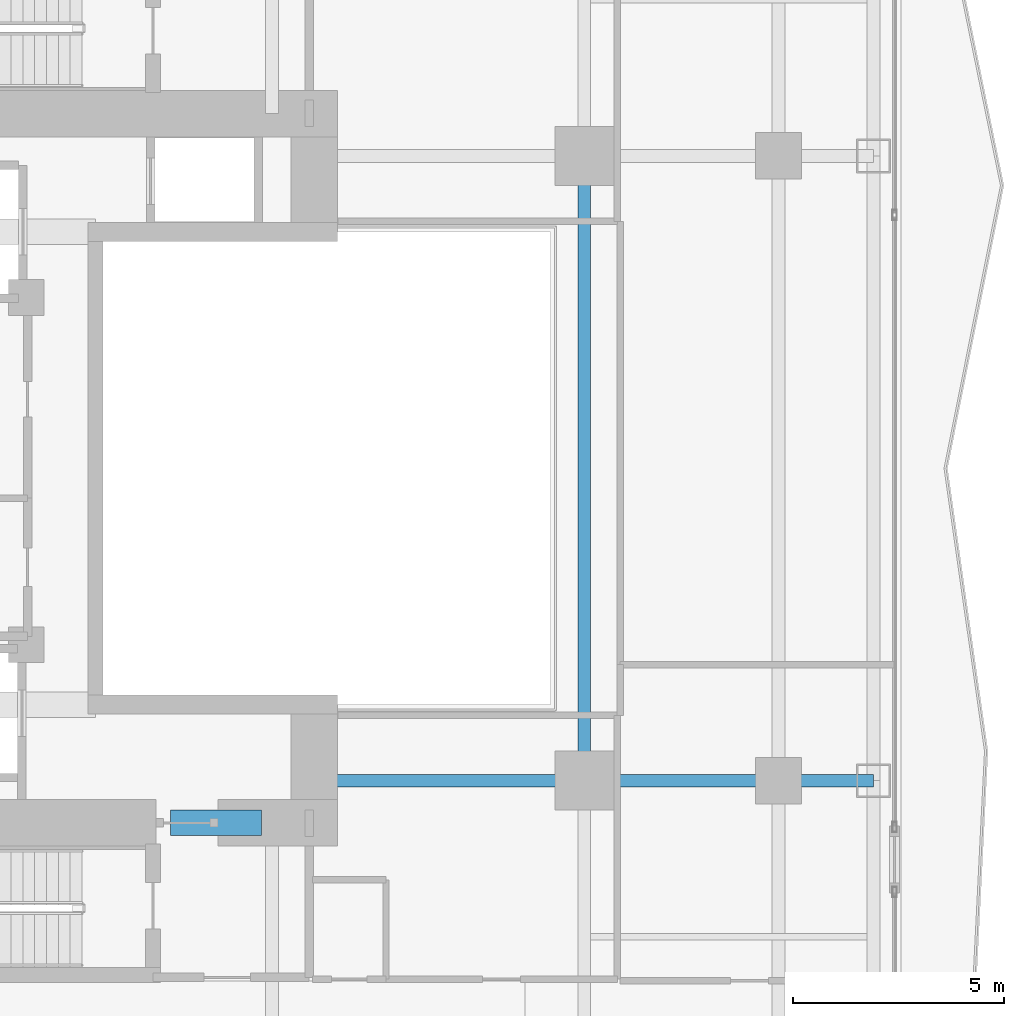
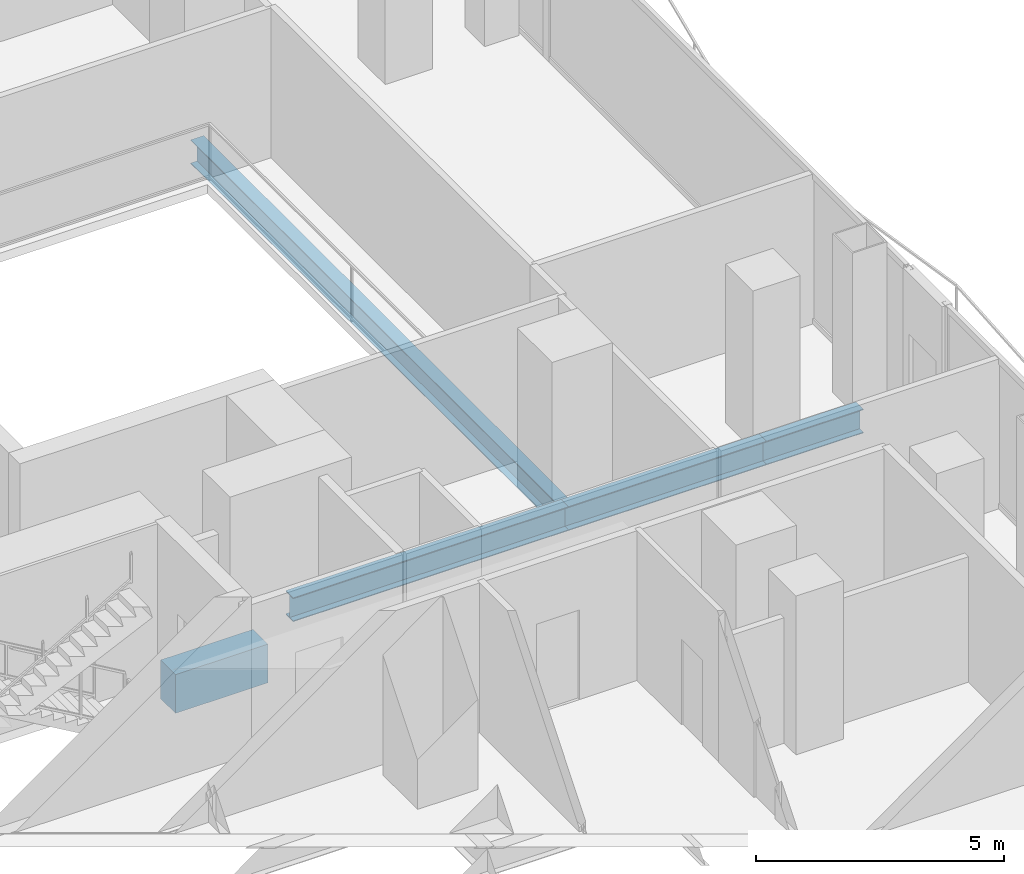
# One storey, part 11 of 29: 5 beams.
"""IFC4 building model written with IfcOpenShell, lengths in metres."""

from ifc_helpers import new_model, si_unit, direction, frame, origin, origin_2d, place, context, subcontext, project, spatial, rectangle, i_section, extrude, material, material_profile, profile_set, type_object, element, save


model = new_model("IFC4")

# Units and contexts
model_context = context("Model", 3, precision=1e-05, world=origin(), true_north=direction((0.0, 1.0)))
body_context = subcontext(model_context, "Body", "Model", "MODEL_VIEW")
ifc_project = project(units=[si_unit("LENGTHUNIT", "METRE"), si_unit("AREAUNIT", "SQUARE_METRE"), si_unit("VOLUMEUNIT", "CUBIC_METRE"), si_unit("PLANEANGLEUNIT", "RADIAN"), si_unit("MASSUNIT", "GRAM", prefix="KILO")], contexts=[model_context])

# Site, building, storey
site_placement = place(None, origin())
site = spatial("IfcSite", under=ifc_project, at=site_placement, CompositionType="ELEMENT")
building_placement = place(site_placement, origin())
building = spatial("IfcBuilding", under=site, at=building_placement, Name="Khorvyn Point Tower", CompositionType="ELEMENT")
storey_placement = place(building_placement, frame((0.0, 0.0, 69.60009765625)))
storey = spatial("IfcBuildingStorey", under=building, at=storey_placement, Name="L18", CompositionType="ELEMENT", Elevation=69.60009765625)

# Beams
ifc_material_1 = material(Name="Concrete C50/60", Category="concrete")
ifc_material_profile_1 = material_profile(ifc_material_1, rectangle(XDim=0.60009765625, YDim=0.949951171875, at=origin_2d()))
ifc_profile_set_1 = profile_set([ifc_material_profile_1], Name="Concrete C50/60 RC600x950")
beam_type_1 = type_object("IfcBeamType", Name="Concrete C50/60 Beam RC600x950", PredefinedType="BEAM", material=ifc_profile_set_1)
beam_1_placement = place(storey_placement, frame((5.0, -8.39990234375, -0.695068359375), z_axis=(1.0, 0.0, 0.0), x_axis=(0.0, 1.0, 0.0)))
element("IfcBeam", 1, at=beam_1_placement, inside=storey, type_object=beam_type_1, Name="L18 Core Southeast Portal Coupling Beam", PredefinedType="BEAM", context=body_context, shape_type="SweptSolid", body=[
    extrude(rectangle(XDim=0.60009765625, YDim=0.949951171875, at=origin_2d()), origin(), (0.0, 0.0, 1.0), 2.14990234375),
])
ifc_material_2 = material(Name="Steel S355", Category="steel")
ifc_material_profile_2 = material_profile(ifc_material_2, i_section(OverallWidth=0.300048828125, OverallDepth=0.587890625, WebThickness=0.011962890625, FlangeThickness=0.02001953125, at=origin_2d()))
ifc_profile_set_2 = profile_set([ifc_material_profile_2], Name="Steel S355 H588x300x12x20")
beam_type_2 = type_object("IfcBeamType", Name="Steel S355 Beam H588x300x12x20", PredefinedType="BEAM", material=ifc_profile_set_2)
beam_2_placement = place(storey_placement, frame((8.39990234375, -7.39990234375, -0.51416015625), z_axis=(1.0, 0.0, 0.0), x_axis=(0.0, 1.0, 0.0)))
element("IfcBeam", 2, at=beam_2_placement, inside=storey, type_object=beam_type_2, Name="Beam", PredefinedType="BEAM", context=body_context, shape_type="SweptSolid", body=[
    extrude(i_section(OverallWidth=0.300048828125, OverallDepth=0.587890625, WebThickness=0.011962890625, FlangeThickness=0.02001953125, at=origin_2d()), origin(), (0.0, 0.0, 1.0), 6.400146484375),
])
beam_3_placement = place(storey_placement, frame((14.800048828125, -7.39990234375, -0.51416015625), z_axis=(1.0, 0.0, 0.0), x_axis=(0.0, 1.0, 0.0)))
element("IfcBeam", 3, at=beam_3_placement, inside=storey, type_object=beam_type_2, Name="Beam", PredefinedType="BEAM", context=body_context, shape_type="SweptSolid", body=[
    extrude(i_section(OverallWidth=0.300048828125, OverallDepth=0.587890625, WebThickness=0.011962890625, FlangeThickness=0.02001953125, at=origin_2d()), origin(), (0.0, 0.0, 1.0), 4.599853515625),
])
beam_4_placement = place(storey_placement, frame((19.39990234375, -7.39990234375, -0.51416015625), z_axis=(1.0, 0.0, 0.0), x_axis=(0.0, 1.0, 0.0)))
element("IfcBeam", 4, at=beam_4_placement, inside=storey, type_object=beam_type_2, Name="Beam", PredefinedType="BEAM", context=body_context, shape_type="SweptSolid", body=[
    extrude(i_section(OverallWidth=0.300048828125, OverallDepth=0.587890625, WebThickness=0.011962890625, FlangeThickness=0.02001953125, at=origin_2d()), origin(), (0.0, 0.0, 1.0), 2.25),
])
beam_5_placement = place(storey_placement, frame((14.800048828125, -7.39990234375, -0.51416015625), z_axis=(0.0, 1.0, 0.0), x_axis=(-1.0, 0.0, 0.0)))
element("IfcBeam", 5, at=beam_5_placement, inside=storey, type_object=beam_type_2, Name="Beam", PredefinedType="BEAM", context=body_context, shape_type="SweptSolid", body=[
    extrude(i_section(OverallWidth=0.300048828125, OverallDepth=0.587890625, WebThickness=0.011962890625, FlangeThickness=0.02001953125, at=origin_2d()), origin(), (0.0, 0.0, 1.0), 14.7998046875),
])

save(model, "model.ifc")
